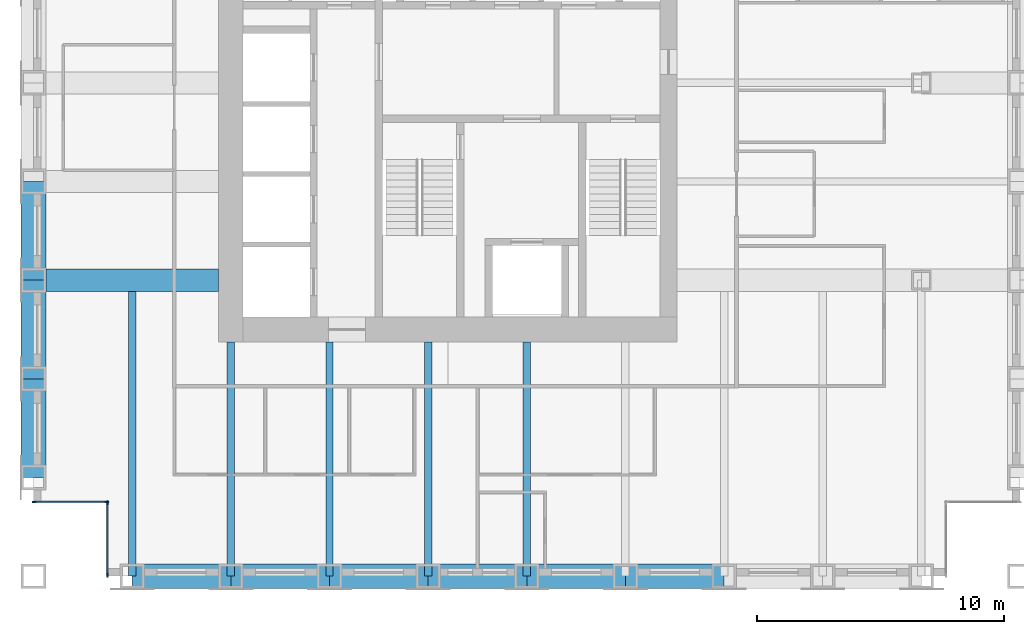
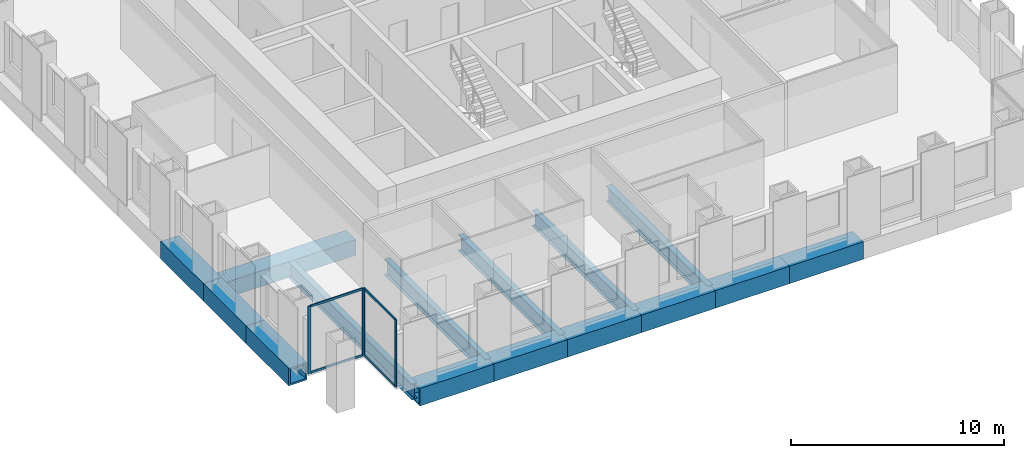
# One storey, part 2 of 14: 15 beams, 8 members, 2 elements without a shape of their own.
"""IFC4 building model written with IfcOpenShell, lengths in metres."""

from ifc_helpers import new_model, si_unit, direction, frame, origin, origin_2d, place, context, subcontext, project, spatial, rectangle, hollow_rectangle, i_section, extrude, material, material_profile, profile_set, type_object, element, aggregate, save


model = new_model("IFC4")

# Units and contexts
model_context = context("Model", 3, precision=1e-05, world=origin(), true_north=direction((0.0, 1.0)))
body_context = subcontext(model_context, "Body", "Model", "MODEL_VIEW")
ifc_project = project(units=[si_unit("LENGTHUNIT", "METRE"), si_unit("AREAUNIT", "SQUARE_METRE"), si_unit("VOLUMEUNIT", "CUBIC_METRE"), si_unit("PLANEANGLEUNIT", "RADIAN"), si_unit("MASSUNIT", "GRAM", prefix="KILO")], contexts=[model_context])

# Site, building, storey
site_placement = place(None, origin())
site = spatial("IfcSite", under=ifc_project, at=site_placement, CompositionType="ELEMENT")
building_placement = place(site_placement, origin())
building = spatial("IfcBuilding", under=site, at=building_placement, Name="Rimbunsela Tower", CompositionType="ELEMENT")
storey_placement = place(building_placement, frame((0.0, 0.0, 226.199951171875)))
storey = spatial("IfcBuildingStorey", under=building, at=storey_placement, Name="L54", CompositionType="ELEMENT", Elevation=226.199951171875)

# Beams
ifc_material_1 = material(Name="Steel BJ 55 (fy 410 MPa)", Category="steel")
ifc_material_profile_1 = material_profile(ifc_material_1, hollow_rectangle(XDim=1.0, YDim=1.0, WallThickness=0.10009765625, at=origin_2d()), Name="BOX 1000x1000x100")
ifc_profile_set_1 = profile_set([ifc_material_profile_1], Name="Steel BJ 55 (fy 410 MPa)")
beam_type_1 = type_object("IfcBeamType", Name="Beam BOX 1000x1000x100", PredefinedType="BEAM", material=ifc_profile_set_1)
for number, where, z_axis, x_axis, name in (
    (1, (10.0, 12.0, -0.64990234375), (0.0, 1.0, 0.0), (-1.0, 0.0, 0.0), "Beam B3 L54"),
    (2, (10.0, 16.0, -0.64990234375), (0.0, 1.0, 0.0), (-1.0, 0.0, 0.0), "Beam B3 L54"),
    (3, (10.0, 20.0, -0.64990234375), (0.0, 1.0, 0.0), (-1.0, 0.0, 0.0), "Beam B3 L54"),
    (4, (14.0, 8.0, -0.64990234375), (1.0, 0.0, 0.0), (0.0, 1.0, 0.0), "Beam B3 L54"),
    (5, (18.0, 8.0, -0.64990234375), (1.0, 0.0, 0.0), (0.0, 1.0, 0.0), "Beam B3 L54"),
    (6, (22.0, 8.0, -0.64990234375), (1.0, 0.0, 0.0), (0.0, 1.0, 0.0), "Beam B3 L54"),
    (7, (26.0, 8.0, -0.64990234375), (1.0, 0.0, 0.0), (0.0, 1.0, 0.0), "Beam B3 L54"),
    (8, (30.0, 8.0, -0.64990234375), (1.0, 0.0, 0.0), (0.0, 1.0, 0.0), "Beam B3 L54"),
    (9, (34.0, 8.0, -0.64990234375), (1.0, 0.0, 0.0), (0.0, 1.0, 0.0), "Beam B3 L54"),
):
    element("IfcBeam", number, at=place(storey_placement, frame(where, z_axis=z_axis, x_axis=x_axis)), inside=storey, type_object=beam_type_1, Name=name, PredefinedType="BEAM", context=body_context, shape_type="SweptSolid", body=[
        extrude(hollow_rectangle(XDim=1.0, YDim=1.0, WallThickness=0.10009765625, at=origin_2d()), origin(), (0.0, 0.0, 1.0), 4.0),
    ])
ifc_material_2 = material(Name="Steel BJ 55 (fy 410 MPa)", Category="steel")
ifc_material_profile_2 = material_profile(ifc_material_2, hollow_rectangle(XDim=0.89990234375, YDim=0.89990234375, WallThickness=0.06005859375, at=origin_2d()), Name="BOX 900x900x60")
ifc_profile_set_2 = profile_set([ifc_material_profile_2], Name="Steel BJ 55 (fy 410 MPa)")
beam_type_2 = type_object("IfcBeamType", Name="Beam BOX 900x900x60", PredefinedType="BEAM", material=ifc_profile_set_2)
beam_1_placement = place(storey_placement, frame((10.0, 20.0, -0.599853515625), z_axis=(1.0, 0.0, 0.0), x_axis=(0.0, 1.0, 0.0)))
element("IfcBeam", 10, at=beam_1_placement, inside=storey, type_object=beam_type_2, Name="Beam B1 L54", PredefinedType="BEAM", context=body_context, shape_type="SweptSolid", body=[
    extrude(hollow_rectangle(XDim=0.89990234375, YDim=0.89990234375, WallThickness=0.06005859375, at=origin_2d()), origin(), (0.0, 0.0, 1.0), 7.5),
])
ifc_material_3 = material(Name="Steel BJ 55 (fy 410 MPa)", Category="steel")
ifc_material_profile_3 = material_profile(ifc_material_3, i_section(OverallWidth=0.300048828125, OverallDepth=0.89990234375, WebThickness=0.01611328125, FlangeThickness=0.028076171875, FilletRadius=0.028076171875, at=origin_2d()), Name="H 900x300x16x28")
ifc_profile_set_3 = profile_set([ifc_material_profile_3], Name="Steel BJ 55 (fy 410 MPa)")
beam_type_3 = type_object("IfcBeamType", Name="Beam H 900x300x16x28", PredefinedType="BEAM", material=ifc_profile_set_3)
beam_2_placement = place(storey_placement, frame((14.0, 8.0, -0.599853515625), z_axis=(0.0, 1.0, 0.0), x_axis=(-1.0, 0.0, 0.0)))
element("IfcBeam", 11, at=beam_2_placement, inside=storey, type_object=beam_type_3, Name="Beam B2 L54", PredefinedType="BEAM", context=body_context, shape_type="SweptSolid", body=[
    extrude(i_section(OverallWidth=0.300048828125, OverallDepth=0.89990234375, WebThickness=0.01611328125, FlangeThickness=0.028076171875, FilletRadius=0.028076171875, at=origin_2d()), origin(), (0.0, 0.0, 1.0), 11.550048828125),
])
for number, where, z_axis, x_axis, name in (
    (12, (18.0, 8.0, -0.599853515625), (0.0, 1.0, 0.0), (-1.0, 0.0, 0.0), "Beam B2 L54"),
    (13, (22.0, 8.0, -0.599853515625), (0.0, 1.0, 0.0), (-1.0, 0.0, 0.0), "Beam B2 L54"),
    (14, (26.0, 8.0, -0.599853515625), (0.0, 1.0, 0.0), (-1.0, 0.0, 0.0), "Beam B2 L54"),
    (15, (30.0, 8.0, -0.599853515625), (0.0, 1.0, 0.0), (-1.0, 0.0, 0.0), "Beam B2 L54"),
):
    element("IfcBeam", number, at=place(storey_placement, frame(where, z_axis=z_axis, x_axis=x_axis)), inside=storey, type_object=beam_type_3, Name=name, PredefinedType="BEAM", context=body_context, shape_type="SweptSolid", body=[
        extrude(i_section(OverallWidth=0.300048828125, OverallDepth=0.89990234375, WebThickness=0.01611328125, FlangeThickness=0.028076171875, FilletRadius=0.028076171875, at=origin_2d()), origin(), (0.0, 0.0, 1.0), 9.5),
    ])

# Curtain wall, members
ifc_material_4 = material(Name="Aluminium curtain wall", Category="aluminium")
curtain_wall_type = type_object("IfcCurtainWallType", Name="Corner glazing", PredefinedType="USERDEFINED", material=ifc_material_4)
curtain_wall_1_placement = place(storey_placement, origin())
curtain_wall_1 = element("IfcCurtainWall", 16, at=curtain_wall_1_placement, inside=storey, type_object=curtain_wall_type, Name="Corner glazing L54", ObjectType="CORNER GLAZING", PredefinedType="USERDEFINED")
ifc_material_5 = material(Name="Aluminium mullion", Category="aluminium")
ifc_material_profile_4 = material_profile(ifc_material_5, rectangle(XDim=0.06005859375, YDim=0.159912109375, at=origin_2d()), Name="Mullion 60x160")
ifc_profile_set_4 = profile_set([ifc_material_profile_4], Name="Aluminium mullion")
member_type_1 = type_object("IfcMemberType", Name="Curtain wall mullion 60x160", PredefinedType="MULLION", material=ifc_profile_set_4)
member_1_placement = place(storey_placement, frame((10.030029296875, 11.0, 0.0), z_axis=(0.0, 0.0, 1.0), x_axis=(0.0, 1.0, 0.0)))
member_1 = element("IfcMember", 17, at=member_1_placement, type_object=member_type_1, Name="CW5 mullion 1", PredefinedType="MULLION", context=body_context, shape_type="SweptSolid", body=[
    extrude(rectangle(XDim=0.06005859375, YDim=0.159912109375, at=origin_2d()), origin(), (0.0, 0.0, 1.0), 3.85009765625),
])
member_2_placement = place(storey_placement, frame((12.969970703125, 11.0, 0.0), z_axis=(0.0, 0.0, 1.0), x_axis=(0.0, 1.0, 0.0)))
member_2 = element("IfcMember", 18, at=member_2_placement, type_object=member_type_1, Name="CW5 mullion 2", PredefinedType="MULLION", context=body_context, shape_type="SweptSolid", body=[
    extrude(rectangle(XDim=0.06005859375, YDim=0.159912109375, at=origin_2d()), origin(), (0.0, 0.0, 1.0), 3.85009765625),
])

curtain_wall_2_placement = place(storey_placement, origin())
curtain_wall_2 = element("IfcCurtainWall", 19, at=curtain_wall_2_placement, inside=storey, type_object=curtain_wall_type, Name="Corner glazing L54", ObjectType="CORNER GLAZING", PredefinedType="USERDEFINED")
member_3_placement = place(storey_placement, frame((13.0, 10.969970703125, 0.0), z_axis=(0.0, 0.0, 1.0), x_axis=(1.0, 0.0, 0.0)))
member_3 = element("IfcMember", 20, at=member_3_placement, type_object=member_type_1, Name="CW5 mullion 1", PredefinedType="MULLION", context=body_context, shape_type="SweptSolid", body=[
    extrude(rectangle(XDim=0.06005859375, YDim=0.159912109375, at=origin_2d()), origin(), (0.0, 0.0, 1.0), 3.85009765625),
])
member_4_placement = place(storey_placement, frame((13.0, 8.030029296875, 0.0), z_axis=(0.0, 0.0, 1.0), x_axis=(1.0, 0.0, 0.0)))
member_4 = element("IfcMember", 21, at=member_4_placement, type_object=member_type_1, Name="CW5 mullion 2", PredefinedType="MULLION", context=body_context, shape_type="SweptSolid", body=[
    extrude(rectangle(XDim=0.06005859375, YDim=0.159912109375, at=origin_2d()), origin(), (0.0, 0.0, 1.0), 3.85009765625),
])

# Member
ifc_material_6 = material(Name="Aluminium transom", Category="aluminium")
ifc_material_profile_5 = material_profile(ifc_material_6, rectangle(XDim=0.06005859375, YDim=0.1201171875, at=origin_2d()), Name="Transom 60x120")
ifc_profile_set_5 = profile_set([ifc_material_profile_5], Name="Aluminium transom")
member_type_2 = type_object("IfcMemberType", Name="Curtain wall transom 60x120", PredefinedType="USERDEFINED", material=ifc_profile_set_5)
member_5_placement = place(storey_placement, frame((10.06005859375, 11.0, 0.030029296875), z_axis=(1.0, 0.0, 0.0), x_axis=(0.0, 1.0, 0.0)))
member_5 = element("IfcMember", 22, at=member_5_placement, type_object=member_type_2, Name="CW5 transom 1.1", ObjectType="TRANSOM", PredefinedType="USERDEFINED", context=body_context, shape_type="SweptSolid", body=[
    extrude(rectangle(XDim=0.06005859375, YDim=0.1201171875, at=origin_2d()), origin(), (0.0, 0.0, 1.0), 2.8798828125),
])

member_6_placement = place(storey_placement, frame((10.06005859375, 11.0, 3.820068359375), z_axis=(1.0, 0.0, 0.0), x_axis=(0.0, 1.0, 0.0)))
member_6 = element("IfcMember", 23, at=member_6_placement, type_object=member_type_2, Name="CW5 transom 1.2", ObjectType="TRANSOM", PredefinedType="USERDEFINED", context=body_context, shape_type="SweptSolid", body=[
    extrude(rectangle(XDim=0.06005859375, YDim=0.1201171875, at=origin_2d()), origin(), (0.0, 0.0, 1.0), 2.8798828125),
])

aggregate(curtain_wall_1, [member_1, member_2, member_5, member_6])

member_7_placement = place(storey_placement, frame((13.0, 10.93994140625, 0.030029296875), z_axis=(0.0, -1.0, 0.0), x_axis=(1.0, 0.0, 0.0)))
member_7 = element("IfcMember", 24, at=member_7_placement, type_object=member_type_2, Name="CW5 transom 1.1", ObjectType="TRANSOM", PredefinedType="USERDEFINED", context=body_context, shape_type="SweptSolid", body=[
    extrude(rectangle(XDim=0.06005859375, YDim=0.1201171875, at=origin_2d()), origin(), (0.0, 0.0, 1.0), 2.8798828125),
])

member_8_placement = place(storey_placement, frame((13.0, 10.93994140625, 3.820068359375), z_axis=(0.0, -1.0, 0.0), x_axis=(1.0, 0.0, 0.0)))
member_8 = element("IfcMember", 25, at=member_8_placement, type_object=member_type_2, Name="CW5 transom 1.2", ObjectType="TRANSOM", PredefinedType="USERDEFINED", context=body_context, shape_type="SweptSolid", body=[
    extrude(rectangle(XDim=0.06005859375, YDim=0.1201171875, at=origin_2d()), origin(), (0.0, 0.0, 1.0), 2.8798828125),
])

aggregate(curtain_wall_2, [member_3, member_4, member_7, member_8])

save(model, "model.ifc")
